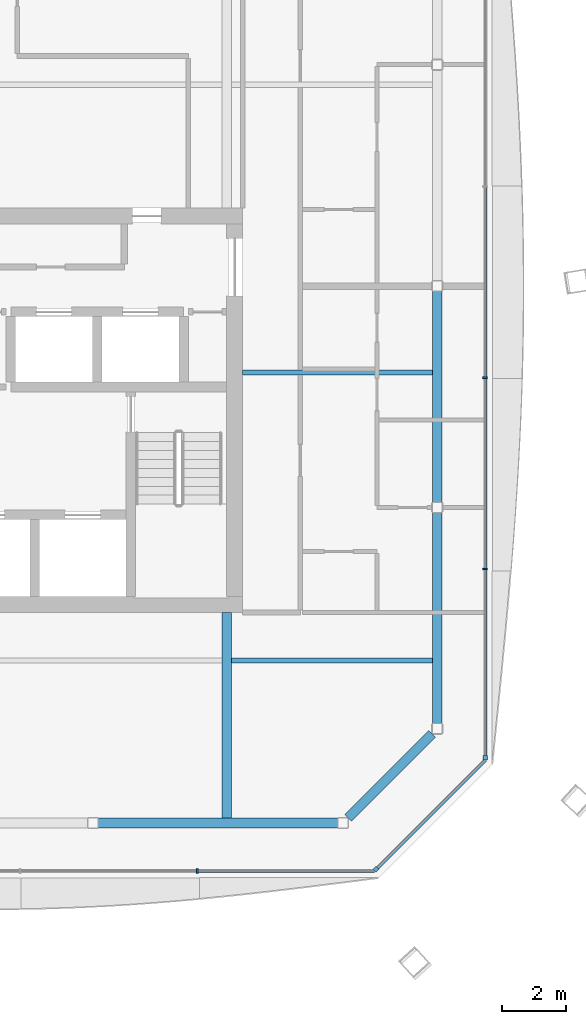
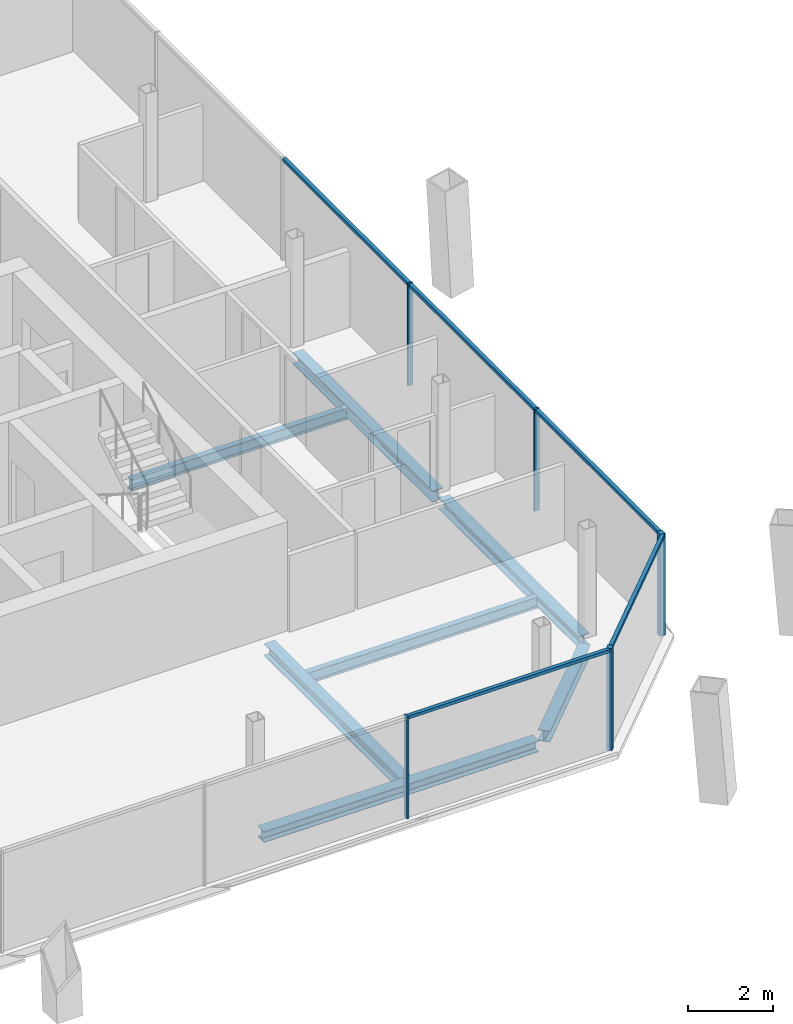
# One storey, part 8 of 20: 10 members, 7 beams, 3 elements without a shape of their own.
"""IFC4 building model written with IfcOpenShell, lengths in metres."""

import ifcopenshell
import ifcopenshell.guid

model = None  # the IFC model being written
_history = None  # IfcOwnerHistory: only IFC2X3 demands one
_inside = {}  # id of a spatial element -> (the spatial element, [elements in it])
_under = {}  # id of a project, library or spatial element -> (it, [spatial elements below it])
_declared = {}  # id of a project -> (the project, [libraries it declares])
_typed = {}  # id of a type object -> (the type object, [elements of that type])
_made_of = {}  # id of a material, layer set ... -> (it, [elements and type objects made of it])


def new_model(schema):
    """Start an empty IFC model of exactly this schema.

    Asked for "IFC4X3", IfcOpenShell would pick the latest addendum, in which some entities
    have other attributes; the version numbers below select the first issue.
    IFC2X3 requires an IfcOwnerHistory on every rooted entity: one is made here for all.
    """
    global model, _history
    if schema == "IFC4X3":
        model = ifcopenshell.file(schema_version=(4, 3, 0, 0))
    else:
        model = ifcopenshell.file(schema=schema)
    _inside.clear()
    _under.clear()
    _declared.clear()
    _typed.clear()
    _made_of.clear()
    _history = None
    if model.schema == "IFC2X3":
        org = make("IfcOrganization", Name="unknown")
        user = make(
            "IfcPersonAndOrganization",
            ThePerson=make("IfcPerson", FamilyName="unknown"),
            TheOrganization=org,
        )
        app = make(
            "IfcApplication",
            ApplicationDeveloper=org,
            Version="unknown",
            ApplicationFullName="unknown",
            ApplicationIdentifier="unknown",
        )
        _history = make(
            "IfcOwnerHistory",
            OwningUser=user,
            OwningApplication=app,
            ChangeAction="ADDED",
            CreationDate=0,
        )
    return model


def make(cls, **values):
    """One entity of the class cls with the attributes given. An attribute that is None is left unset."""
    return model.create_entity(
        cls, **{name: value for name, value in values.items() if value is not None}
    )


def rooted(cls, **values):
    """An entity with a GlobalId (a new one), such as an element, a storey or a relation."""
    return make(cls, GlobalId=ifcopenshell.guid.new(), OwnerHistory=_history, **values)


def si_unit(unit_type, name, prefix=None):
    """IfcSIUnit, for example si_unit("LENGTHUNIT", "METRE", prefix="MILLI")."""
    return make("IfcSIUnit", UnitType=unit_type, Prefix=prefix, Name=name)


def assignment(units):
    """IfcUnitAssignment: the units of a project."""
    return None if units is None else make("IfcUnitAssignment", Units=units)


def point(xyz):
    """IfcCartesianPoint."""
    return None if xyz is None else make("IfcCartesianPoint", Coordinates=xyz)


def direction(xyz):
    """IfcDirection."""
    return None if xyz is None else make("IfcDirection", DirectionRatios=xyz)


def frame(location, z_axis=None, x_axis=None):
    """IfcAxis2Placement3D, a coordinate frame: its origin and axes. An axis left out is left unset."""
    return make(
        "IfcAxis2Placement3D",
        Location=point(location),
        Axis=direction(z_axis),
        RefDirection=direction(x_axis),
    )


def frame_2d(location, x_axis=None):
    """IfcAxis2Placement2D, a coordinate frame in the plane: its origin and x axis."""
    return make(
        "IfcAxis2Placement2D", Location=point(location), RefDirection=direction(x_axis)
    )


def origin():
    """The frame at (0, 0, 0) with its axes left unset."""
    return frame((0.0, 0.0, 0.0))


def origin_2d():
    """The frame at (0, 0) in the plane with its x axis left unset."""
    return frame_2d((0.0, 0.0))


def place(relative_to, where):
    """IfcLocalPlacement: puts the frame where relative to a parent placement (None: the world)."""
    return make(
        "IfcLocalPlacement", PlacementRelTo=relative_to, RelativePlacement=where
    )


def context(
    kind, dimensions, precision=None, world=None, true_north=None, identifier=None
):
    """IfcGeometricRepresentationContext, for example the 3D "Model" context."""
    return make(
        "IfcGeometricRepresentationContext",
        ContextIdentifier=identifier,
        ContextType=kind,
        CoordinateSpaceDimension=dimensions,
        Precision=precision,
        WorldCoordinateSystem=world,
        TrueNorth=true_north,
    )


def subcontext(parent, identifier, kind, view, scale=None):
    """IfcGeometricRepresentationSubContext, for example "Body" below "Model"."""
    return make(
        "IfcGeometricRepresentationSubContext",
        ContextIdentifier=identifier,
        ContextType=kind,
        ParentContext=parent,
        TargetScale=scale,
        TargetView=view,
    )


def project(units=None, contexts=None):
    """IfcProject with its units and contexts."""
    return rooted(
        "IfcProject",
        Name="project",
        RepresentationContexts=contexts,
        UnitsInContext=assignment(units),
    )


def spatial(cls, under=None, at=None, **own):
    """A site, building, storey or space (cls), placed at a placement, below another one or the project."""
    s = rooted(cls, ObjectPlacement=at, **own)
    if under is not None:
        _under.setdefault(under.id(), (under, []))[1].append(s)
    return s


def profile(cls, at=None, kind="AREA", **sizes):
    """A parametric profile (cls). Its sizes go by their IFC names, for example OverallWidth=200.0."""
    return make(cls, ProfileType=kind, Position=at, **sizes)


def rectangle(**sizes):
    """IfcRectangleProfileDef."""
    return profile("IfcRectangleProfileDef", **sizes)


def i_section(**sizes):
    """IfcIShapeProfileDef."""
    return profile("IfcIShapeProfileDef", **sizes)


def extrude(swept, where, along, depth):
    """IfcExtrudedAreaSolid: the profile swept, set in the frame where, extruded along a direction by depth."""
    return make(
        "IfcExtrudedAreaSolid",
        SweptArea=swept,
        Position=where,
        ExtrudedDirection=direction(along),
        Depth=depth,
    )


def shape(context_of_items, identifier, shape_type, items):
    """IfcShapeRepresentation: the items that make up one representation, for example the "Body"."""
    return make(
        "IfcShapeRepresentation",
        ContextOfItems=context_of_items,
        RepresentationIdentifier=identifier,
        RepresentationType=shape_type,
        Items=items,
    )


def material(Name=None, Category=None):
    """IfcMaterial."""
    return make("IfcMaterial", Name=Name, Category=Category)


def material_profile(
    of_material, cross_section, Name=None, Category=None, Priority=None
):
    """IfcMaterialProfile: a cross section and its material."""
    return make(
        "IfcMaterialProfile",
        Name=Name,
        Material=of_material,
        Profile=cross_section,
        Priority=Priority,
        Category=Category,
    )


def profile_set(profiles, Name=None, composite=None):
    """IfcMaterialProfileSet."""
    return make(
        "IfcMaterialProfileSet",
        Name=Name,
        MaterialProfiles=profiles,
        CompositeProfile=composite,
    )


def made_of(thing, what):
    """Note that an element or type object is made of a material, layer set ...; save() writes the relation."""
    if what is not None:
        _made_of.setdefault(what.id(), (what, []))[1].append(thing)
    return thing


def type_object(cls, material=None, **own):
    """A type object (cls), such as IfcWallType, which elements share."""
    return made_of(rooted(cls, **own), material)


def element(
    cls,
    number,
    at=None,
    inside=None,
    cuts=None,
    type_object=None,
    material=None,
    context=None,
    identifier="Body",
    shape_type=None,
    held_by="IfcProductDefinitionShape",
    body=None,
    shapes=None,
    **own,
):
    """One element of the class cls, such as IfcWall. Its Tag is "e" and its number.

    at: its placement. inside: the storey or other place that contains it. cuts: it is an
    opening in that element (IfcRelVoidsElement). A single representation is given by context,
    identifier, shape_type and body (its items); several are given by shapes. held_by: the class
    of the entity that holds the representations. save() writes the other relations.
    """
    e = rooted(cls, Tag="e%d" % number, ObjectPlacement=at, **own)
    if body is not None:
        shapes = [shape(context, identifier, shape_type, body)]
    if shapes is not None:
        e.Representation = make(held_by, Representations=shapes)
    if inside is not None:
        _inside.setdefault(inside.id(), (inside, []))[1].append(e)
    if cuts is not None:
        rooted(
            "IfcRelVoidsElement", RelatingBuildingElement=cuts, RelatedOpeningElement=e
        )
    if type_object is not None:
        _typed.setdefault(type_object.id(), (type_object, []))[1].append(e)
    return made_of(e, material)


def aggregate(whole, parts):
    """IfcRelAggregates: a whole, such as a stair, and the parts it consists of."""
    return rooted("IfcRelAggregates", RelatingObject=whole, RelatedObjects=parts)


def save(model, path):
    """Write the relations noted so far, then the file.

    IfcRelAggregates (storeys below a building ...), IfcRelContainedInSpatialStructure (elements
    in a storey), IfcRelDefinesByType, IfcRelAssociatesMaterial and IfcRelDeclares: one each for
    every whole, place, type object, material and project.
    """
    for whole, parts in _under.values():
        aggregate(whole, parts)
    for where, things in _inside.values():
        rooted(
            "IfcRelContainedInSpatialStructure",
            RelatedElements=things,
            RelatingStructure=where,
        )
    for kind, things in _typed.values():
        rooted("IfcRelDefinesByType", RelatedObjects=things, RelatingType=kind)
    for what, things in _made_of.values():
        rooted("IfcRelAssociatesMaterial", RelatedObjects=things, RelatingMaterial=what)
    for by, libraries in _declared.values():
        rooted("IfcRelDeclares", RelatingContext=by, RelatedDefinitions=libraries)
    model.write(path)


model = new_model("IFC4")

# Units and contexts
model_context = context("Model", 3, precision=1e-05, world=origin(), true_north=direction((0.0, 1.0)))
body_context = subcontext(model_context, "Body", "Model", "MODEL_VIEW")
ifc_project = project(units=[si_unit("LENGTHUNIT", "METRE"), si_unit("AREAUNIT", "SQUARE_METRE"), si_unit("VOLUMEUNIT", "CUBIC_METRE"), si_unit("PLANEANGLEUNIT", "RADIAN"), si_unit("MASSUNIT", "GRAM", prefix="KILO")], contexts=[model_context])

# Site, building, storey
site_placement = place(None, origin())
site = spatial("IfcSite", under=ifc_project, at=site_placement, CompositionType="ELEMENT")
building_placement = place(site_placement, origin())
building = spatial("IfcBuilding", under=site, at=building_placement, Name="Tskaro Facet Tower", CompositionType="ELEMENT")
storey_placement = place(building_placement, frame((0.0, 0.0, 194.25)))
storey = spatial("IfcBuildingStorey", under=building, at=storey_placement, Name="L49", CompositionType="ELEMENT", Elevation=194.25)

# Curtain wall, member
ifc_material_1 = material(Name="Bronze anodised aluminium 6063-T6", Category="aluminium")
curtain_wall_type = type_object("IfcCurtainWallType", Name="Bronze residence curtain wall (FW3)", PredefinedType="NOTDEFINED", material=ifc_material_1)
curtain_wall_1_placement = place(storey_placement, origin())
curtain_wall_1 = element("IfcCurtainWall", 1, at=curtain_wall_1_placement, inside=storey, type_object=curtain_wall_type, Name="FW3 south-east facet L49", PredefinedType="NOTDEFINED")
ifc_material_profile_1 = material_profile(ifc_material_1, rectangle(XDim=0.139892578125, YDim=0.139892578125, at=origin_2d()), Name="Corner post 140x140")
ifc_profile_set_1 = profile_set([ifc_material_profile_1], Name="Bronze anodised aluminium 6063-T6")
member_type_1 = type_object("IfcMemberType", Name="FW3 bronze corner post 140x140", PredefinedType="MULLION", material=ifc_profile_set_1)
member_1_placement = place(storey_placement, frame((13.66748046875, -20.030517578125, 0.0), z_axis=(0.0, 0.0, 1.0), x_axis=(0.707106781187, 0.707106781187, 0.0)))
member_1 = element("IfcMember", 2, at=member_1_placement, type_object=member_type_1, Name="FW3 south-east corner post", PredefinedType="MULLION", context=body_context, shape_type="SweptSolid", body=[
    extrude(rectangle(XDim=0.139892578125, YDim=0.139892578125, at=origin_2d()), origin(), (0.0, 0.0, 1.0), 2.949951171875),
])

curtain_wall_2_placement = place(storey_placement, origin())
curtain_wall_2 = element("IfcCurtainWall", 3, at=curtain_wall_2_placement, inside=storey, type_object=curtain_wall_type, Name="FW3 east facet L49", PredefinedType="NOTDEFINED")
member_2_placement = place(storey_placement, frame((17.080078125, -16.548095703125, 0.0), z_axis=(0.0, 0.0, 1.0), x_axis=(0.0, 1.0, 0.0)))
member_2 = element("IfcMember", 4, at=member_2_placement, type_object=member_type_1, Name="FW3 east corner post", PredefinedType="MULLION", context=body_context, shape_type="SweptSolid", body=[
    extrude(rectangle(XDim=0.139892578125, YDim=0.139892578125, at=origin_2d()), origin(), (0.0, 0.0, 1.0), 2.949951171875),
])

curtain_wall_3_placement = place(storey_placement, origin())
curtain_wall_3 = element("IfcCurtainWall", 5, at=curtain_wall_3_placement, inside=storey, type_object=curtain_wall_type, Name="FW3 south facet L49", PredefinedType="NOTDEFINED")
ifc_material_profile_2 = material_profile(ifc_material_1, rectangle(XDim=0.050048828125, YDim=0.139892578125, at=origin_2d()), Name="Mullion 50x140")
ifc_profile_set_2 = profile_set([ifc_material_profile_2], Name="Bronze anodised aluminium 6063-T6")
member_type_2 = type_object("IfcMemberType", Name="FW3 bronze mullion 50x140", PredefinedType="MULLION", material=ifc_profile_set_2)
member_3_placement = place(storey_placement, frame((8.07861328125, -20.080078125, 0.0), z_axis=(0.0, 0.0, 1.0), x_axis=(1.0, 0.0, 0.0)))
member_3 = element("IfcMember", 6, at=member_3_placement, type_object=member_type_2, Name="FW3 south mullion 5", PredefinedType="MULLION", context=body_context, shape_type="SweptSolid", body=[
    extrude(rectangle(XDim=0.050048828125, YDim=0.139892578125, at=origin_2d()), origin(), (0.0, 0.0, 1.0), 2.949951171875),
])

# Member
member_4_placement = place(storey_placement, frame((17.080078125, -10.640380859375, 0.0), z_axis=(0.0, 0.0, 1.0), x_axis=(0.0, 1.0, 0.0)))
member_4 = element("IfcMember", 7, at=member_4_placement, type_object=member_type_2, Name="FW3 east mullion 1", PredefinedType="MULLION", context=body_context, shape_type="SweptSolid", body=[
    extrude(rectangle(XDim=0.050048828125, YDim=0.139892578125, at=origin_2d()), origin(), (0.0, 0.0, 1.0), 2.949951171875),
])

member_5_placement = place(storey_placement, frame((17.080078125, -4.662841796875, 0.0), z_axis=(0.0, 0.0, 1.0), x_axis=(0.0, 1.0, 0.0)))
member_5 = element("IfcMember", 8, at=member_5_placement, type_object=member_type_2, Name="FW3 east mullion 2", PredefinedType="MULLION", context=body_context, shape_type="SweptSolid", body=[
    extrude(rectangle(XDim=0.050048828125, YDim=0.139892578125, at=origin_2d()), origin(), (0.0, 0.0, 1.0), 2.949951171875),
])

ifc_material_profile_3 = material_profile(ifc_material_1, rectangle(XDim=0.10009765625, YDim=0.090087890625, at=origin_2d()), Name="Transom 100x90")
ifc_profile_set_3 = profile_set([ifc_material_profile_3], Name="Bronze anodised aluminium 6063-T6")
member_type_3 = type_object("IfcMemberType", Name="FW3 bronze transom 100x90", PredefinedType="USERDEFINED", material=ifc_profile_set_3)
member_6_placement = place(storey_placement, frame((8.103759765625, -20.080078125, 2.905029296875), z_axis=(1.0, 0.0, 0.0), x_axis=(0.0, 1.0, 0.0)))
member_6 = element("IfcMember", 9, at=member_6_placement, type_object=member_type_3, Name="FW3 south transom 6.1", ObjectType="TRANSOM", PredefinedType="USERDEFINED", context=body_context, shape_type="SweptSolid", body=[
    extrude(rectangle(XDim=0.10009765625, YDim=0.090087890625, at=origin_2d()), origin(), (0.0, 0.0, 1.0), 5.51416015625),
])

aggregate(curtain_wall_3, [member_3, member_6])

member_7_placement = place(storey_placement, frame((13.717041015625, -19.98095703125, 2.905029296875), z_axis=(0.707106781187, 0.707106781187, 0.0), x_axis=(-0.707106781187, 0.707106781187, 0.0)))
member_7 = element("IfcMember", 10, at=member_7_placement, type_object=member_type_3, Name="FW3 south-east transom 1.1", ObjectType="TRANSOM", PredefinedType="USERDEFINED", context=body_context, shape_type="SweptSolid", body=[
    extrude(rectangle(XDim=0.10009765625, YDim=0.090087890625, at=origin_2d()), origin(), (0.0, 0.0, 1.0), 4.756103515625),
])

aggregate(curtain_wall_1, [member_1, member_7])

member_8_placement = place(storey_placement, frame((17.080078125, -16.47802734375, 2.905029296875), z_axis=(0.0, 1.0, 0.0), x_axis=(-1.0, 0.0, 0.0)))
member_8 = element("IfcMember", 11, at=member_8_placement, type_object=member_type_3, Name="FW3 east transom 1.1", ObjectType="TRANSOM", PredefinedType="USERDEFINED", context=body_context, shape_type="SweptSolid", body=[
    extrude(rectangle(XDim=0.10009765625, YDim=0.090087890625, at=origin_2d()), origin(), (0.0, 0.0, 1.0), 5.812744140625),
])

member_9_placement = place(storey_placement, frame((17.080078125, -10.615478515625, 2.905029296875), z_axis=(0.0, 1.0, 0.0), x_axis=(-1.0, 0.0, 0.0)))
member_9 = element("IfcMember", 12, at=member_9_placement, type_object=member_type_3, Name="FW3 east transom 2.1", ObjectType="TRANSOM", PredefinedType="USERDEFINED", context=body_context, shape_type="SweptSolid", body=[
    extrude(rectangle(XDim=0.10009765625, YDim=0.090087890625, at=origin_2d()), origin(), (0.0, 0.0, 1.0), 5.927734375),
])

member_10_placement = place(storey_placement, frame((17.080078125, -4.6376953125, 2.905029296875), z_axis=(0.0, 1.0, 0.0), x_axis=(-1.0, 0.0, 0.0)))
member_10 = element("IfcMember", 13, at=member_10_placement, type_object=member_type_3, Name="FW3 east transom 3.1", ObjectType="TRANSOM", PredefinedType="USERDEFINED", context=body_context, shape_type="SweptSolid", body=[
    extrude(rectangle(XDim=0.10009765625, YDim=0.090087890625, at=origin_2d()), origin(), (0.0, 0.0, 1.0), 5.927490234375),
])

aggregate(curtain_wall_2, [member_2, member_4, member_5, member_8, member_9, member_10])

# Beams
ifc_material_2 = material(Name="Steel S355J2", Category="steel")
ifc_material_profile_4 = material_profile(ifc_material_2, i_section(OverallWidth=0.300048828125, OverallDepth=0.320068359375, WebThickness=0.011474609375, FlangeThickness=0.0205078125, FilletRadius=0.027099609375, at=origin_2d()), Name="HE 320 B")
ifc_profile_set_4 = profile_set([ifc_material_profile_4], Name="Steel S355J2")
beam_type_1 = type_object("IfcBeamType", Name="HE 320 B ring beam", PredefinedType="BEAM", material=ifc_profile_set_4)
beam_1_placement = place(storey_placement, frame((4.971923828125, -18.5830078125, -0.300048828125), z_axis=(1.0, 0.0, 0.0), x_axis=(0.0, 1.0, 0.0)))
element("IfcBeam", 14, at=beam_1_placement, inside=storey, type_object=beam_type_1, Name="HE 320 B EB4-4", PredefinedType="BEAM", context=body_context, shape_type="SweptSolid", body=[
    extrude(i_section(OverallWidth=0.300048828125, OverallDepth=0.320068359375, WebThickness=0.011474609375, FlangeThickness=0.0205078125, FilletRadius=0.027099609375, at=origin_2d()), origin(), (0.0, 0.0, 1.0), 7.506103515625),
])
beam_2_placement = place(storey_placement, frame((12.7939453125, -18.422119140625, -0.300048828125), z_axis=(0.707106781187, 0.707106781187, 0.0), x_axis=(-0.707106781187, 0.707106781187, 0.0)))
element("IfcBeam", 15, at=beam_2_placement, inside=storey, type_object=beam_type_1, Name="HE 320 B EB5-4", PredefinedType="BEAM", context=body_context, shape_type="SweptSolid", body=[
    extrude(i_section(OverallWidth=0.300048828125, OverallDepth=0.320068359375, WebThickness=0.011474609375, FlangeThickness=0.0205078125, FilletRadius=0.027099609375, at=origin_2d()), origin(), (0.0, 0.0, 1.0), 3.716796875),
])
for number, where, z_axis, x_axis, name in (
    (16, (15.5830078125, -15.47802734375, -0.300048828125), (0.0, 1.0, 0.0), (-1.0, 0.0, 0.0), "HE 320 B EB6-4"),
    (17, (15.5830078125, -8.55810546875, -0.300048828125), (0.0, 1.0, 0.0), (-1.0, 0.0, 0.0), "HE 320 B EB7-4"),
):
    element("IfcBeam", number, at=place(storey_placement, frame(where, z_axis=z_axis, x_axis=x_axis)), inside=storey, type_object=beam_type_1, Name=name, PredefinedType="BEAM", context=body_context, shape_type="SweptSolid", body=[
        extrude(i_section(OverallWidth=0.300048828125, OverallDepth=0.320068359375, WebThickness=0.011474609375, FlangeThickness=0.0205078125, FilletRadius=0.027099609375, at=origin_2d()), origin(), (0.0, 0.0, 1.0), 6.610107421875),
    ])
ifc_material_profile_5 = material_profile(ifc_material_2, i_section(OverallWidth=0.300048828125, OverallDepth=0.35009765625, WebThickness=0.010009765625, FlangeThickness=0.017578125, FilletRadius=0.027099609375, at=origin_2d()), Name="HE 360 A")
ifc_profile_set_5 = profile_set([ifc_material_profile_5], Name="Steel S355J2")
beam_type_2 = type_object("IfcBeamType", Name="HE 360 A girder", PredefinedType="BEAM", material=ifc_profile_set_5)
beam_3_placement = place(storey_placement, frame((9.0, -18.43310546875, -0.31494140625), z_axis=(0.0, 1.0, 0.0), x_axis=(-1.0, 0.0, 0.0)))
element("IfcBeam", 18, at=beam_3_placement, inside=storey, type_object=beam_type_2, Name="HE 360 A GB5-1-4", PredefinedType="BEAM", context=body_context, shape_type="SweptSolid", body=[
    extrude(i_section(OverallWidth=0.300048828125, OverallDepth=0.35009765625, WebThickness=0.010009765625, FlangeThickness=0.017578125, FilletRadius=0.027099609375, at=origin_2d()), origin(), (0.0, 0.0, 1.0), 6.43310546875),
])
ifc_material_profile_6 = material_profile(ifc_material_2, i_section(OverallWidth=0.159912109375, OverallDepth=0.330078125, WebThickness=0.007568359375, FlangeThickness=0.011474609375, FilletRadius=0.01806640625, at=origin_2d()), Name="IPE 330")
ifc_profile_set_6 = profile_set([ifc_material_profile_6], Name="Steel S355J2")
beam_type_3 = type_object("IfcBeamType", Name="IPE 330 secondary beam", PredefinedType="BEAM", material=ifc_profile_set_6)
beam_4_placement = place(storey_placement, frame((9.14990234375, -13.5, -0.304931640625), z_axis=(1.0, 0.0, 0.0), x_axis=(0.0, 1.0, 0.0)))
element("IfcBeam", 19, at=beam_4_placement, inside=storey, type_object=beam_type_3, Name="IPE 330 SB2a-5-4", PredefinedType="BEAM", context=body_context, shape_type="SweptSolid", body=[
    extrude(i_section(OverallWidth=0.159912109375, OverallDepth=0.330078125, WebThickness=0.007568359375, FlangeThickness=0.011474609375, FilletRadius=0.01806640625, at=origin_2d()), origin(), (0.0, 0.0, 1.0), 6.283203125),
])
beam_5_placement = place(storey_placement, frame((9.5, -4.5, -0.304931640625), z_axis=(1.0, 0.0, 0.0), x_axis=(0.0, 1.0, 0.0)))
element("IfcBeam", 20, at=beam_5_placement, inside=storey, type_object=beam_type_3, Name="IPE 330 SB3a-3-4", PredefinedType="BEAM", context=body_context, shape_type="SweptSolid", body=[
    extrude(i_section(OverallWidth=0.159912109375, OverallDepth=0.330078125, WebThickness=0.007568359375, FlangeThickness=0.011474609375, FilletRadius=0.01806640625, at=origin_2d()), origin(), (0.0, 0.0, 1.0), 5.93310546875),
])

save(model, "model.ifc")
